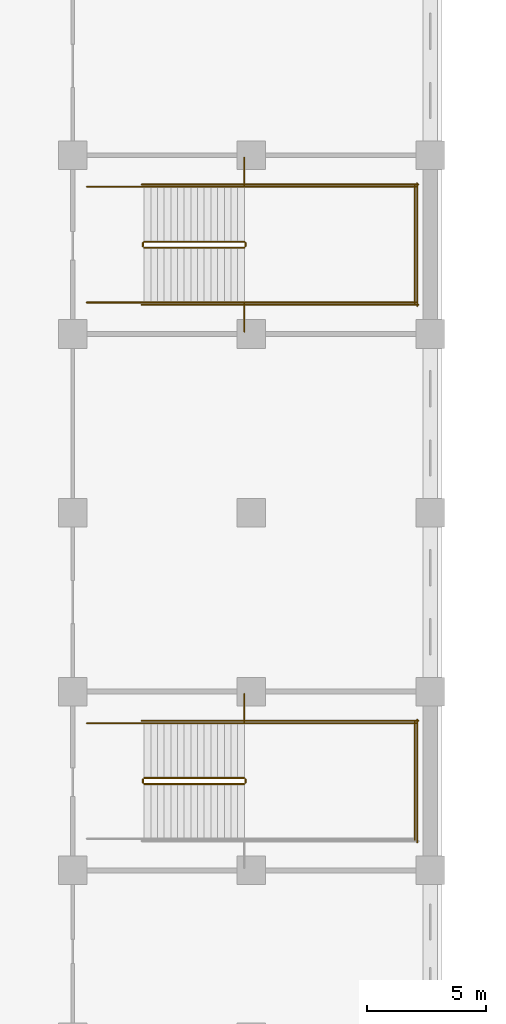
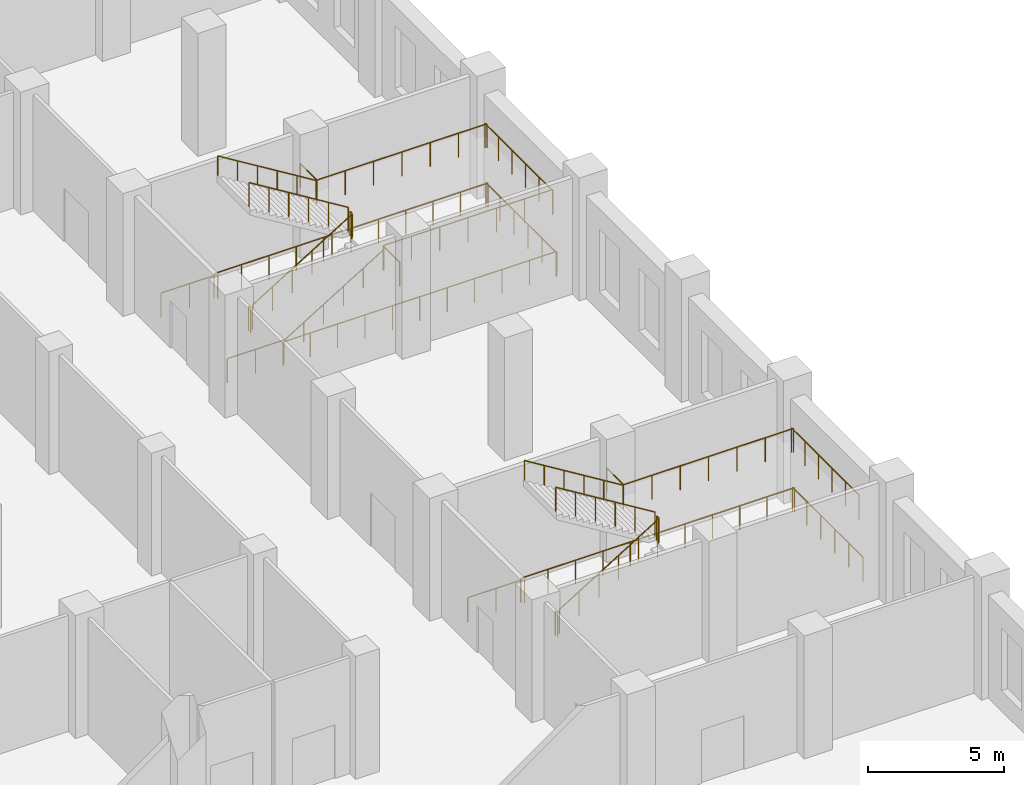
# One storey, part 27 of 35: 27 railings.
"""IFC4 building model written with IfcOpenShell, lengths in metres."""

from ifc_helpers import new_model, si_unit, direction, frame, origin, origin_2d, place, context, subcontext, project, spatial, circle, extrude, material, type_object, element, save


model = new_model("IFC4")

# Units and contexts
model_context = context("Model", 3, precision=1e-05, world=origin(), true_north=direction((0.0, 1.0)))
body_context = subcontext(model_context, "Body", "Model", "MODEL_VIEW")
ifc_project = project(units=[si_unit("LENGTHUNIT", "METRE"), si_unit("AREAUNIT", "SQUARE_METRE"), si_unit("VOLUMEUNIT", "CUBIC_METRE"), si_unit("PLANEANGLEUNIT", "RADIAN"), si_unit("MASSUNIT", "GRAM", prefix="KILO")], contexts=[model_context])

# Site, building, storey
site_placement = place(None, origin())
site = spatial("IfcSite", under=ifc_project, at=site_placement, CompositionType="ELEMENT")
building_placement = place(site_placement, origin())
building = spatial("IfcBuilding", under=site, at=building_placement, Name="Tamorin Gate", CompositionType="ELEMENT")
storey_placement = place(building_placement, frame((0.0, 0.0, 8.0)))
storey = spatial("IfcBuildingStorey", under=building, at=storey_placement, Name="L01", CompositionType="ELEMENT", Elevation=8.0)

# Railings
ifc_material = material(Name="Steel", Category="steel")
railing_type_1 = type_object("IfcRailingType", Name="Podium guard 1100", PredefinedType="GUARDRAIL", material=ifc_material)
railing_1_placement = place(storey_placement, frame((100.0, 56.125, 0.171875)))
element("IfcRailing", 1, at=railing_1_placement, inside=storey, type_object=railing_type_1, Name="L01 PS3 stair guard 1", PredefinedType="GUARDRAIL", context=body_context, shape_type="SweptSolid", body=[
    extrude(circle(Radius=0.02392578125, at=origin_2d()), frame((0.0, 0.0, 1.076171875), z_axis=(0.852242915053, 0.0, 0.523146264196), x_axis=(0.0, 1.0, 0.0)), (0.0, 0.0, 1.0), 4.92822265625),
    extrude(circle(Radius=0.02099609375, at=origin_2d()), origin(), (0.0, 0.0, 1.0), 1.052001953125),
    extrude(circle(Radius=0.02099609375, at=origin_2d()), frame((0.840087890625, 0.0, 0.515625)), (0.0, 0.0, 1.0), 1.052001953125),
    extrude(circle(Radius=0.02099609375, at=origin_2d()), frame((1.679931640625, 0.0, 1.03125)), (0.0, 0.0, 1.0), 1.052001953125),
    extrude(circle(Radius=0.02099609375, at=origin_2d()), frame((2.52001953125, 0.0, 1.546875)), (0.0, 0.0, 1.0), 1.052001953125),
    extrude(circle(Radius=0.02099609375, at=origin_2d()), frame((3.35986328125, 0.0, 2.0625)), (0.0, 0.0, 1.0), 1.052001953125),
    extrude(circle(Radius=0.02099609375, at=origin_2d()), frame((4.199951171875, 0.0, 2.578125)), (0.0, 0.0, 1.0), 1.052001953125),
])
railing_2_placement = place(storey_placement, frame((104.25, 56.175048828125, 2.75)))
element("IfcRailing", 2, at=railing_2_placement, inside=storey, type_object=railing_type_1, Name="L01 PS3 stair guard 2", PredefinedType="GUARDRAIL", context=body_context, shape_type="SweptSolid", body=[
    extrude(circle(Radius=0.02392578125, at=origin_2d()), frame((0.0, 0.0, 1.076171875), z_axis=(0.0, 1.0, 0.0), x_axis=(-1.0, 0.0, 0.0)), (0.0, 0.0, 1.0), 0.14990234375),
    extrude(circle(Radius=0.02099609375, at=origin_2d()), origin(), (0.0, 0.0, 1.0), 1.052001953125),
    extrude(circle(Radius=0.02099609375, at=origin_2d()), frame((0.0, 0.14990234375, 0.0)), (0.0, 0.0, 1.0), 1.052001953125),
])
railing_3_placement = place(storey_placement, frame((104.199951171875, 58.675048828125, 2.75)))
element("IfcRailing", 3, at=railing_3_placement, inside=storey, type_object=railing_type_1, Name="L01 PS3 stair guard 4", PredefinedType="GUARDRAIL", context=body_context, shape_type="SweptSolid", body=[
    extrude(circle(Radius=0.02392578125, at=origin_2d()), frame((0.0, 0.0, 1.076171875), z_axis=(1.0, 0.0, 0.0), x_axis=(0.0, 1.0, 0.0)), (0.0, 0.0, 1.0), 7.199951171875),
    extrude(circle(Radius=0.02099609375, at=origin_2d()), origin(), (0.0, 0.0, 1.0), 1.052001953125),
    extrude(circle(Radius=0.02099609375, at=origin_2d()), frame((1.199951171875, 0.0, 0.0)), (0.0, 0.0, 1.0), 1.052001953125),
    extrude(circle(Radius=0.02099609375, at=origin_2d()), frame((2.39990234375, 0.0, 0.0)), (0.0, 0.0, 1.0), 1.052001953125),
    extrude(circle(Radius=0.02099609375, at=origin_2d()), frame((3.60009765625, 0.0, 0.0)), (0.0, 0.0, 1.0), 1.052001953125),
    extrude(circle(Radius=0.02099609375, at=origin_2d()), frame((4.800048828125, 0.0, 0.0)), (0.0, 0.0, 1.0), 1.052001953125),
    extrude(circle(Radius=0.02099609375, at=origin_2d()), frame((6.0, 0.0, 0.0)), (0.0, 0.0, 1.0), 1.052001953125),
    extrude(circle(Radius=0.02099609375, at=origin_2d()), frame((7.199951171875, 0.0, 0.0)), (0.0, 0.0, 1.0), 1.052001953125),
])
railing_4_placement = place(storey_placement, frame((111.35009765625, 53.77490234375, 2.75)))
element("IfcRailing", 4, at=railing_4_placement, inside=storey, type_object=railing_type_1, Name="L01 PS3 stair guard 5", PredefinedType="GUARDRAIL", context=body_context, shape_type="SweptSolid", body=[
    extrude(circle(Radius=0.02392578125, at=origin_2d()), frame((0.0, 0.0, 1.076171875), z_axis=(0.0, 1.0, 0.0), x_axis=(-1.0, 0.0, 0.0)), (0.0, 0.0, 1.0), 4.9501953125),
    extrude(circle(Radius=0.02099609375, at=origin_2d()), origin(), (0.0, 0.0, 1.0), 1.052001953125),
    extrude(circle(Radius=0.02099609375, at=origin_2d()), frame((0.0, 0.989990234375, 0.0)), (0.0, 0.0, 1.0), 1.052001953125),
    extrude(circle(Radius=0.02099609375, at=origin_2d()), frame((0.0, 1.97998046875, 0.0)), (0.0, 0.0, 1.0), 1.052001953125),
    extrude(circle(Radius=0.02099609375, at=origin_2d()), frame((0.0, 2.97021484375, 0.0)), (0.0, 0.0, 1.0), 1.052001953125),
    extrude(circle(Radius=0.02099609375, at=origin_2d()), frame((0.0, 3.960205078125, 0.0)), (0.0, 0.0, 1.0), 1.052001953125),
    extrude(circle(Radius=0.02099609375, at=origin_2d()), frame((0.0, 4.9501953125, 0.0)), (0.0, 0.0, 1.0), 1.052001953125),
])
railing_5_placement = place(storey_placement, frame((104.199951171875, 56.375, 2.921875)))
element("IfcRailing", 5, at=railing_5_placement, inside=storey, type_object=railing_type_1, Name="L01 PS3 stair guard 6", PredefinedType="GUARDRAIL", context=body_context, shape_type="SweptSolid", body=[
    extrude(circle(Radius=0.02392578125, at=origin_2d()), frame((0.0, 0.0, 1.076171875), z_axis=(-0.852242915053, 0.0, 0.523146264196), x_axis=(0.0, -1.0, 0.0)), (0.0, 0.0, 1.0), 4.92822265625),
    extrude(circle(Radius=0.02099609375, at=origin_2d()), origin(), (0.0, 0.0, 1.0), 1.052001953125),
    extrude(circle(Radius=0.02099609375, at=origin_2d()), frame((-0.840087890625, 0.0, 0.515625)), (0.0, 0.0, 1.0), 1.052001953125),
    extrude(circle(Radius=0.02099609375, at=origin_2d()), frame((-1.679931640625, 0.0, 1.03125)), (0.0, 0.0, 1.0), 1.052001953125),
    extrude(circle(Radius=0.02099609375, at=origin_2d()), frame((-2.52001953125, 0.0, 1.546875)), (0.0, 0.0, 1.0), 1.052001953125),
    extrude(circle(Radius=0.02099609375, at=origin_2d()), frame((-3.35986328125, 0.0, 2.0625)), (0.0, 0.0, 1.0), 1.052001953125),
    extrude(circle(Radius=0.02099609375, at=origin_2d()), frame((-4.199951171875, 0.0, 2.578125)), (0.0, 0.0, 1.0), 1.052001953125),
])
railing_6_placement = place(storey_placement, frame((99.949951171875, 56.175048828125, 0.0)))
element("IfcRailing", 6, at=railing_6_placement, inside=storey, type_object=railing_type_1, Name="L01 PS3 stair guard 7", PredefinedType="GUARDRAIL", context=body_context, shape_type="SweptSolid", body=[
    extrude(circle(Radius=0.02392578125, at=origin_2d()), frame((0.0, 0.0, 1.076171875), z_axis=(0.0, 1.0, 0.0), x_axis=(-1.0, 0.0, 0.0)), (0.0, 0.0, 1.0), 0.14990234375),
    extrude(circle(Radius=0.02099609375, at=origin_2d()), origin(), (0.0, 0.0, 1.0), 1.052001953125),
    extrude(circle(Radius=0.02099609375, at=origin_2d()), frame((0.0, 0.14990234375, 0.0)), (0.0, 0.0, 1.0), 1.052001953125),
])
railing_7_placement = place(storey_placement, frame((97.60009765625, 58.675048828125, 0.0)))
element("IfcRailing", 7, at=railing_7_placement, inside=storey, type_object=railing_type_1, Name="L01 PS3 stair guard 9", PredefinedType="GUARDRAIL", context=body_context, shape_type="SweptSolid", body=[
    extrude(circle(Radius=0.02392578125, at=origin_2d()), frame((0.0, 0.0, 1.076171875), z_axis=(1.0, 0.0, 0.0), x_axis=(0.0, 1.0, 0.0)), (0.0, 0.0, 1.0), 2.39990234375),
    extrude(circle(Radius=0.02099609375, at=origin_2d()), origin(), (0.0, 0.0, 1.0), 1.052001953125),
    extrude(circle(Radius=0.02099609375, at=origin_2d()), frame((1.199951171875, 0.0, 0.0)), (0.0, 0.0, 1.0), 1.052001953125),
    extrude(circle(Radius=0.02099609375, at=origin_2d()), frame((2.39990234375, 0.0, 0.0)), (0.0, 0.0, 1.0), 1.052001953125),
])
railing_8_placement = place(storey_placement, frame((99.89990234375, 58.77490234375, 0.0)))
element("IfcRailing", 8, at=railing_8_placement, inside=storey, type_object=railing_type_1, Name="L01 PS3 stair guard 11", PredefinedType="GUARDRAIL", context=body_context, shape_type="SweptSolid", body=[
    extrude(circle(Radius=0.02392578125, at=origin_2d()), frame((0.0, 0.0, 1.076171875), z_axis=(1.0, 0.0, 0.0), x_axis=(0.0, 1.0, 0.0)), (0.0, 0.0, 1.0), 11.60009765625),
    extrude(circle(Radius=0.02099609375, at=origin_2d()), origin(), (0.0, 0.0, 1.0), 1.052001953125),
    extrude(circle(Radius=0.02099609375, at=origin_2d()), frame((1.159912109375, 0.0, 0.0)), (0.0, 0.0, 1.0), 1.052001953125),
    extrude(circle(Radius=0.02099609375, at=origin_2d()), frame((2.320068359375, 0.0, 0.0)), (0.0, 0.0, 1.0), 1.052001953125),
    extrude(circle(Radius=0.02099609375, at=origin_2d()), frame((3.47998046875, 0.0, 0.0)), (0.0, 0.0, 1.0), 1.052001953125),
    extrude(circle(Radius=0.02099609375, at=origin_2d()), frame((4.64013671875, 0.0, 0.0)), (0.0, 0.0, 1.0), 1.052001953125),
    extrude(circle(Radius=0.02099609375, at=origin_2d()), frame((5.800048828125, 0.0, 0.0)), (0.0, 0.0, 1.0), 1.052001953125),
    extrude(circle(Radius=0.02099609375, at=origin_2d()), frame((6.9599609375, 0.0, 0.0)), (0.0, 0.0, 1.0), 1.052001953125),
    extrude(circle(Radius=0.02099609375, at=origin_2d()), frame((8.1201171875, 0.0, 0.0)), (0.0, 0.0, 1.0), 1.052001953125),
    extrude(circle(Radius=0.02099609375, at=origin_2d()), frame((9.280029296875, 0.0, 0.0)), (0.0, 0.0, 1.0), 1.052001953125),
    extrude(circle(Radius=0.02099609375, at=origin_2d()), frame((10.440185546875, 0.0, 0.0)), (0.0, 0.0, 1.0), 1.052001953125),
    extrude(circle(Radius=0.02099609375, at=origin_2d()), frame((11.60009765625, 0.0, 0.0)), (0.0, 0.0, 1.0), 1.052001953125),
])
railing_9_placement = place(storey_placement, frame((111.449951171875, 53.675048828125, 0.0)))
element("IfcRailing", 9, at=railing_9_placement, inside=storey, type_object=railing_type_1, Name="L01 PS3 stair guard 12", PredefinedType="GUARDRAIL", context=body_context, shape_type="SweptSolid", body=[
    extrude(circle(Radius=0.02392578125, at=origin_2d()), frame((0.0, 0.0, 1.076171875), z_axis=(0.0, 1.0, 0.0), x_axis=(-1.0, 0.0, 0.0)), (0.0, 0.0, 1.0), 5.14990234375),
    extrude(circle(Radius=0.02099609375, at=origin_2d()), origin(), (0.0, 0.0, 1.0), 1.052001953125),
    extrude(circle(Radius=0.02099609375, at=origin_2d()), frame((0.0, 1.030029296875, 0.0)), (0.0, 0.0, 1.0), 1.052001953125),
    extrude(circle(Radius=0.02099609375, at=origin_2d()), frame((0.0, 2.06005859375, 0.0)), (0.0, 0.0, 1.0), 1.052001953125),
    extrude(circle(Radius=0.02099609375, at=origin_2d()), frame((0.0, 3.08984375, 0.0)), (0.0, 0.0, 1.0), 1.052001953125),
    extrude(circle(Radius=0.02099609375, at=origin_2d()), frame((0.0, 4.119873046875, 0.0)), (0.0, 0.0, 1.0), 1.052001953125),
    extrude(circle(Radius=0.02099609375, at=origin_2d()), frame((0.0, 5.14990234375, 0.0)), (0.0, 0.0, 1.0), 1.052001953125),
])
railing_10_placement = place(storey_placement, frame((104.199951171875, 58.72509765625, 2.75)))
element("IfcRailing", 10, at=railing_10_placement, inside=storey, type_object=railing_type_1, Name="Landing edge guard", PredefinedType="GUARDRAIL", context=body_context, shape_type="SweptSolid", body=[
    extrude(circle(Radius=0.02392578125, at=origin_2d()), frame((0.0, 0.0, 1.076171875), z_axis=(0.0, 1.0, 0.0), x_axis=(-1.0, 0.0, 0.0)), (0.0, 0.0, 1.0), 1.1748046875),
    extrude(circle(Radius=0.02099609375, at=origin_2d()), origin(), (0.0, 0.0, 1.0), 1.052001953125),
    extrude(circle(Radius=0.02099609375, at=origin_2d()), frame((0.0, 1.1748046875, 0.0)), (0.0, 0.0, 1.0), 1.052001953125),
])
railing_11_placement = place(storey_placement, frame((100.0, 78.625, 0.171875)))
element("IfcRailing", 11, at=railing_11_placement, inside=storey, type_object=railing_type_1, Name="L01 PS5 stair guard 1", PredefinedType="GUARDRAIL", context=body_context, shape_type="SweptSolid", body=[
    extrude(circle(Radius=0.02392578125, at=origin_2d()), frame((0.0, 0.0, 1.076171875), z_axis=(0.852242915053, 0.0, 0.523146264196), x_axis=(0.0, 1.0, 0.0)), (0.0, 0.0, 1.0), 4.92822265625),
    extrude(circle(Radius=0.02099609375, at=origin_2d()), origin(), (0.0, 0.0, 1.0), 1.052001953125),
    extrude(circle(Radius=0.02099609375, at=origin_2d()), frame((0.840087890625, 0.0, 0.515625)), (0.0, 0.0, 1.0), 1.052001953125),
    extrude(circle(Radius=0.02099609375, at=origin_2d()), frame((1.679931640625, 0.0, 1.03125)), (0.0, 0.0, 1.0), 1.052001953125),
    extrude(circle(Radius=0.02099609375, at=origin_2d()), frame((2.52001953125, 0.0, 1.546875)), (0.0, 0.0, 1.0), 1.052001953125),
    extrude(circle(Radius=0.02099609375, at=origin_2d()), frame((3.35986328125, 0.0, 2.0625)), (0.0, 0.0, 1.0), 1.052001953125),
    extrude(circle(Radius=0.02099609375, at=origin_2d()), frame((4.199951171875, 0.0, 2.578125)), (0.0, 0.0, 1.0), 1.052001953125),
])
railing_12_placement = place(storey_placement, frame((104.25, 78.675048828125, 2.75)))
element("IfcRailing", 12, at=railing_12_placement, inside=storey, type_object=railing_type_1, Name="L01 PS5 stair guard 2", PredefinedType="GUARDRAIL", context=body_context, shape_type="SweptSolid", body=[
    extrude(circle(Radius=0.02392578125, at=origin_2d()), frame((0.0, 0.0, 1.076171875), z_axis=(0.0, 1.0, 0.0), x_axis=(-1.0, 0.0, 0.0)), (0.0, 0.0, 1.0), 0.14990234375),
    extrude(circle(Radius=0.02099609375, at=origin_2d()), origin(), (0.0, 0.0, 1.0), 1.052001953125),
    extrude(circle(Radius=0.02099609375, at=origin_2d()), frame((0.0, 0.14990234375, 0.0)), (0.0, 0.0, 1.0), 1.052001953125),
])
for number, where, name in (
    (13, (104.199951171875, 76.324951171875, 2.75), "L01 PS5 stair guard 3"),
    (14, (104.199951171875, 81.175048828125, 2.75), "L01 PS5 stair guard 4"),
):
    element("IfcRailing", number, at=place(storey_placement, frame(where)), inside=storey, type_object=railing_type_1, Name=name, PredefinedType="GUARDRAIL", context=body_context, shape_type="SweptSolid", body=[
        extrude(circle(Radius=0.02392578125, at=origin_2d()), frame((0.0, 0.0, 1.076171875), z_axis=(1.0, 0.0, 0.0), x_axis=(0.0, 1.0, 0.0)), (0.0, 0.0, 1.0), 7.199951171875),
        extrude(circle(Radius=0.02099609375, at=origin_2d()), origin(), (0.0, 0.0, 1.0), 1.052001953125),
        extrude(circle(Radius=0.02099609375, at=origin_2d()), frame((1.199951171875, 0.0, 0.0)), (0.0, 0.0, 1.0), 1.052001953125),
        extrude(circle(Radius=0.02099609375, at=origin_2d()), frame((2.39990234375, 0.0, 0.0)), (0.0, 0.0, 1.0), 1.052001953125),
        extrude(circle(Radius=0.02099609375, at=origin_2d()), frame((3.60009765625, 0.0, 0.0)), (0.0, 0.0, 1.0), 1.052001953125),
        extrude(circle(Radius=0.02099609375, at=origin_2d()), frame((4.800048828125, 0.0, 0.0)), (0.0, 0.0, 1.0), 1.052001953125),
        extrude(circle(Radius=0.02099609375, at=origin_2d()), frame((6.0, 0.0, 0.0)), (0.0, 0.0, 1.0), 1.052001953125),
        extrude(circle(Radius=0.02099609375, at=origin_2d()), frame((7.199951171875, 0.0, 0.0)), (0.0, 0.0, 1.0), 1.052001953125),
    ])
railing_13_placement = place(storey_placement, frame((111.35009765625, 76.27490234375, 2.75)))
element("IfcRailing", 15, at=railing_13_placement, inside=storey, type_object=railing_type_1, Name="L01 PS5 stair guard 5", PredefinedType="GUARDRAIL", context=body_context, shape_type="SweptSolid", body=[
    extrude(circle(Radius=0.02392578125, at=origin_2d()), frame((0.0, 0.0, 1.076171875), z_axis=(0.0, 1.0, 0.0), x_axis=(-1.0, 0.0, 0.0)), (0.0, 0.0, 1.0), 4.9501953125),
    extrude(circle(Radius=0.02099609375, at=origin_2d()), origin(), (0.0, 0.0, 1.0), 1.052001953125),
    extrude(circle(Radius=0.02099609375, at=origin_2d()), frame((0.0, 0.989990234375, 0.0)), (0.0, 0.0, 1.0), 1.052001953125),
    extrude(circle(Radius=0.02099609375, at=origin_2d()), frame((0.0, 1.97998046875, 0.0)), (0.0, 0.0, 1.0), 1.052001953125),
    extrude(circle(Radius=0.02099609375, at=origin_2d()), frame((0.0, 2.97021484375, 0.0)), (0.0, 0.0, 1.0), 1.052001953125),
    extrude(circle(Radius=0.02099609375, at=origin_2d()), frame((0.0, 3.960205078125, 0.0)), (0.0, 0.0, 1.0), 1.052001953125),
    extrude(circle(Radius=0.02099609375, at=origin_2d()), frame((0.0, 4.9501953125, 0.0)), (0.0, 0.0, 1.0), 1.052001953125),
])
railing_14_placement = place(storey_placement, frame((104.199951171875, 78.875, 2.921875)))
element("IfcRailing", 16, at=railing_14_placement, inside=storey, type_object=railing_type_1, Name="L01 PS5 stair guard 6", PredefinedType="GUARDRAIL", context=body_context, shape_type="SweptSolid", body=[
    extrude(circle(Radius=0.02392578125, at=origin_2d()), frame((0.0, 0.0, 1.076171875), z_axis=(-0.852242915053, 0.0, 0.523146264196), x_axis=(0.0, -1.0, 0.0)), (0.0, 0.0, 1.0), 4.92822265625),
    extrude(circle(Radius=0.02099609375, at=origin_2d()), origin(), (0.0, 0.0, 1.0), 1.052001953125),
    extrude(circle(Radius=0.02099609375, at=origin_2d()), frame((-0.840087890625, 0.0, 0.515625)), (0.0, 0.0, 1.0), 1.052001953125),
    extrude(circle(Radius=0.02099609375, at=origin_2d()), frame((-1.679931640625, 0.0, 1.03125)), (0.0, 0.0, 1.0), 1.052001953125),
    extrude(circle(Radius=0.02099609375, at=origin_2d()), frame((-2.52001953125, 0.0, 1.546875)), (0.0, 0.0, 1.0), 1.052001953125),
    extrude(circle(Radius=0.02099609375, at=origin_2d()), frame((-3.35986328125, 0.0, 2.0625)), (0.0, 0.0, 1.0), 1.052001953125),
    extrude(circle(Radius=0.02099609375, at=origin_2d()), frame((-4.199951171875, 0.0, 2.578125)), (0.0, 0.0, 1.0), 1.052001953125),
])
railing_15_placement = place(storey_placement, frame((99.949951171875, 78.675048828125, 0.0)))
element("IfcRailing", 17, at=railing_15_placement, inside=storey, type_object=railing_type_1, Name="L01 PS5 stair guard 7", PredefinedType="GUARDRAIL", context=body_context, shape_type="SweptSolid", body=[
    extrude(circle(Radius=0.02392578125, at=origin_2d()), frame((0.0, 0.0, 1.076171875), z_axis=(0.0, 1.0, 0.0), x_axis=(-1.0, 0.0, 0.0)), (0.0, 0.0, 1.0), 0.14990234375),
    extrude(circle(Radius=0.02099609375, at=origin_2d()), origin(), (0.0, 0.0, 1.0), 1.052001953125),
    extrude(circle(Radius=0.02099609375, at=origin_2d()), frame((0.0, 0.14990234375, 0.0)), (0.0, 0.0, 1.0), 1.052001953125),
])
for number, where, name in (
    (18, (97.60009765625, 76.324951171875, 0.0), "L01 PS5 stair guard 8"),
    (19, (97.60009765625, 81.175048828125, 0.0), "L01 PS5 stair guard 9"),
):
    element("IfcRailing", number, at=place(storey_placement, frame(where)), inside=storey, type_object=railing_type_1, Name=name, PredefinedType="GUARDRAIL", context=body_context, shape_type="SweptSolid", body=[
        extrude(circle(Radius=0.02392578125, at=origin_2d()), frame((0.0, 0.0, 1.076171875), z_axis=(1.0, 0.0, 0.0), x_axis=(0.0, 1.0, 0.0)), (0.0, 0.0, 1.0), 2.39990234375),
        extrude(circle(Radius=0.02099609375, at=origin_2d()), origin(), (0.0, 0.0, 1.0), 1.052001953125),
        extrude(circle(Radius=0.02099609375, at=origin_2d()), frame((1.199951171875, 0.0, 0.0)), (0.0, 0.0, 1.0), 1.052001953125),
        extrude(circle(Radius=0.02099609375, at=origin_2d()), frame((2.39990234375, 0.0, 0.0)), (0.0, 0.0, 1.0), 1.052001953125),
    ])
for number, where, name in (
    (20, (99.89990234375, 76.22509765625, 0.0), "L01 PS5 stair guard 10"),
    (21, (99.89990234375, 81.27490234375, 0.0), "L01 PS5 stair guard 11"),
):
    element("IfcRailing", number, at=place(storey_placement, frame(where)), inside=storey, type_object=railing_type_1, Name=name, PredefinedType="GUARDRAIL", context=body_context, shape_type="SweptSolid", body=[
        extrude(circle(Radius=0.02392578125, at=origin_2d()), frame((0.0, 0.0, 1.076171875), z_axis=(1.0, 0.0, 0.0), x_axis=(0.0, 1.0, 0.0)), (0.0, 0.0, 1.0), 11.60009765625),
        extrude(circle(Radius=0.02099609375, at=origin_2d()), origin(), (0.0, 0.0, 1.0), 1.052001953125),
        extrude(circle(Radius=0.02099609375, at=origin_2d()), frame((1.159912109375, 0.0, 0.0)), (0.0, 0.0, 1.0), 1.052001953125),
        extrude(circle(Radius=0.02099609375, at=origin_2d()), frame((2.320068359375, 0.0, 0.0)), (0.0, 0.0, 1.0), 1.052001953125),
        extrude(circle(Radius=0.02099609375, at=origin_2d()), frame((3.47998046875, 0.0, 0.0)), (0.0, 0.0, 1.0), 1.052001953125),
        extrude(circle(Radius=0.02099609375, at=origin_2d()), frame((4.64013671875, 0.0, 0.0)), (0.0, 0.0, 1.0), 1.052001953125),
        extrude(circle(Radius=0.02099609375, at=origin_2d()), frame((5.800048828125, 0.0, 0.0)), (0.0, 0.0, 1.0), 1.052001953125),
        extrude(circle(Radius=0.02099609375, at=origin_2d()), frame((6.9599609375, 0.0, 0.0)), (0.0, 0.0, 1.0), 1.052001953125),
        extrude(circle(Radius=0.02099609375, at=origin_2d()), frame((8.1201171875, 0.0, 0.0)), (0.0, 0.0, 1.0), 1.052001953125),
        extrude(circle(Radius=0.02099609375, at=origin_2d()), frame((9.280029296875, 0.0, 0.0)), (0.0, 0.0, 1.0), 1.052001953125),
        extrude(circle(Radius=0.02099609375, at=origin_2d()), frame((10.440185546875, 0.0, 0.0)), (0.0, 0.0, 1.0), 1.052001953125),
        extrude(circle(Radius=0.02099609375, at=origin_2d()), frame((11.60009765625, 0.0, 0.0)), (0.0, 0.0, 1.0), 1.052001953125),
    ])
railing_16_placement = place(storey_placement, frame((111.449951171875, 76.175048828125, 0.0)))
element("IfcRailing", 22, at=railing_16_placement, inside=storey, type_object=railing_type_1, Name="L01 PS5 stair guard 12", PredefinedType="GUARDRAIL", context=body_context, shape_type="SweptSolid", body=[
    extrude(circle(Radius=0.02392578125, at=origin_2d()), frame((0.0, 0.0, 1.076171875), z_axis=(0.0, 1.0, 0.0), x_axis=(-1.0, 0.0, 0.0)), (0.0, 0.0, 1.0), 5.14990234375),
    extrude(circle(Radius=0.02099609375, at=origin_2d()), origin(), (0.0, 0.0, 1.0), 1.052001953125),
    extrude(circle(Radius=0.02099609375, at=origin_2d()), frame((0.0, 1.030029296875, 0.0)), (0.0, 0.0, 1.0), 1.052001953125),
    extrude(circle(Radius=0.02099609375, at=origin_2d()), frame((0.0, 2.06005859375, 0.0)), (0.0, 0.0, 1.0), 1.052001953125),
    extrude(circle(Radius=0.02099609375, at=origin_2d()), frame((0.0, 3.08984375, 0.0)), (0.0, 0.0, 1.0), 1.052001953125),
    extrude(circle(Radius=0.02099609375, at=origin_2d()), frame((0.0, 4.119873046875, 0.0)), (0.0, 0.0, 1.0), 1.052001953125),
    extrude(circle(Radius=0.02099609375, at=origin_2d()), frame((0.0, 5.14990234375, 0.0)), (0.0, 0.0, 1.0), 1.052001953125),
])
for number, where, name in (
    (23, (104.199951171875, 75.10009765625, 2.75), "Landing edge guard"),
    (24, (104.199951171875, 81.22509765625, 2.75), "Landing edge guard"),
):
    element("IfcRailing", number, at=place(storey_placement, frame(where)), inside=storey, type_object=railing_type_1, Name=name, PredefinedType="GUARDRAIL", context=body_context, shape_type="SweptSolid", body=[
        extrude(circle(Radius=0.02392578125, at=origin_2d()), frame((0.0, 0.0, 1.076171875), z_axis=(0.0, 1.0, 0.0), x_axis=(-1.0, 0.0, 0.0)), (0.0, 0.0, 1.0), 1.1748046875),
        extrude(circle(Radius=0.02099609375, at=origin_2d()), origin(), (0.0, 0.0, 1.0), 1.052001953125),
        extrude(circle(Radius=0.02099609375, at=origin_2d()), frame((0.0, 1.1748046875, 0.0)), (0.0, 0.0, 1.0), 1.052001953125),
    ])
railing_type_2 = type_object("IfcRailingType", Name="Podium stair handrail 900", PredefinedType="HANDRAIL", material=ifc_material)
railing_17_placement = place(storey_placement, frame((104.199951171875, 58.675048828125, 2.921875)))
element("IfcRailing", 25, at=railing_17_placement, inside=storey, type_object=railing_type_2, Name="L01 PS3 stair handrail 2", PredefinedType="HANDRAIL", context=body_context, shape_type="SweptSolid", body=[
    extrude(circle(Radius=0.02392578125, at=origin_2d()), frame((0.0, 0.0, 0.8759765625), z_axis=(-0.852242915053, 0.0, 0.523146264196), x_axis=(0.0, -1.0, 0.0)), (0.0, 0.0, 1.0), 4.92822265625),
    extrude(circle(Radius=0.02099609375, at=origin_2d()), origin(), (0.0, 0.0, 1.0), 0.851806640625),
    extrude(circle(Radius=0.02099609375, at=origin_2d()), frame((-0.840087890625, 0.0, 0.515625)), (0.0, 0.0, 1.0), 0.851806640625),
    extrude(circle(Radius=0.02099609375, at=origin_2d()), frame((-1.679931640625, 0.0, 1.03125)), (0.0, 0.0, 1.0), 0.851806640625),
    extrude(circle(Radius=0.02099609375, at=origin_2d()), frame((-2.52001953125, 0.0, 1.546875)), (0.0, 0.0, 1.0), 0.851806640625),
    extrude(circle(Radius=0.02099609375, at=origin_2d()), frame((-3.35986328125, 0.0, 2.0625)), (0.0, 0.0, 1.0), 0.851806640625),
    extrude(circle(Radius=0.02099609375, at=origin_2d()), frame((-4.199951171875, 0.0, 2.578125)), (0.0, 0.0, 1.0), 0.851806640625),
])
railing_18_placement = place(storey_placement, frame((100.0, 76.324951171875, 0.171875)))
element("IfcRailing", 26, at=railing_18_placement, inside=storey, type_object=railing_type_2, Name="L01 PS5 stair handrail 1", PredefinedType="HANDRAIL", context=body_context, shape_type="SweptSolid", body=[
    extrude(circle(Radius=0.02392578125, at=origin_2d()), frame((0.0, 0.0, 0.8759765625), z_axis=(0.852242915053, 0.0, 0.523146264196), x_axis=(0.0, 1.0, 0.0)), (0.0, 0.0, 1.0), 4.92822265625),
    extrude(circle(Radius=0.02099609375, at=origin_2d()), origin(), (0.0, 0.0, 1.0), 0.851806640625),
    extrude(circle(Radius=0.02099609375, at=origin_2d()), frame((0.840087890625, 0.0, 0.515625)), (0.0, 0.0, 1.0), 0.851806640625),
    extrude(circle(Radius=0.02099609375, at=origin_2d()), frame((1.679931640625, 0.0, 1.03125)), (0.0, 0.0, 1.0), 0.851806640625),
    extrude(circle(Radius=0.02099609375, at=origin_2d()), frame((2.52001953125, 0.0, 1.546875)), (0.0, 0.0, 1.0), 0.851806640625),
    extrude(circle(Radius=0.02099609375, at=origin_2d()), frame((3.35986328125, 0.0, 2.0625)), (0.0, 0.0, 1.0), 0.851806640625),
    extrude(circle(Radius=0.02099609375, at=origin_2d()), frame((4.199951171875, 0.0, 2.578125)), (0.0, 0.0, 1.0), 0.851806640625),
])
railing_19_placement = place(storey_placement, frame((104.199951171875, 81.175048828125, 2.921875)))
element("IfcRailing", 27, at=railing_19_placement, inside=storey, type_object=railing_type_2, Name="L01 PS5 stair handrail 2", PredefinedType="HANDRAIL", context=body_context, shape_type="SweptSolid", body=[
    extrude(circle(Radius=0.02392578125, at=origin_2d()), frame((0.0, 0.0, 0.8759765625), z_axis=(-0.852242915053, 0.0, 0.523146264196), x_axis=(0.0, -1.0, 0.0)), (0.0, 0.0, 1.0), 4.92822265625),
    extrude(circle(Radius=0.02099609375, at=origin_2d()), origin(), (0.0, 0.0, 1.0), 0.851806640625),
    extrude(circle(Radius=0.02099609375, at=origin_2d()), frame((-0.840087890625, 0.0, 0.515625)), (0.0, 0.0, 1.0), 0.851806640625),
    extrude(circle(Radius=0.02099609375, at=origin_2d()), frame((-1.679931640625, 0.0, 1.03125)), (0.0, 0.0, 1.0), 0.851806640625),
    extrude(circle(Radius=0.02099609375, at=origin_2d()), frame((-2.52001953125, 0.0, 1.546875)), (0.0, 0.0, 1.0), 0.851806640625),
    extrude(circle(Radius=0.02099609375, at=origin_2d()), frame((-3.35986328125, 0.0, 2.0625)), (0.0, 0.0, 1.0), 0.851806640625),
    extrude(circle(Radius=0.02099609375, at=origin_2d()), frame((-4.199951171875, 0.0, 2.578125)), (0.0, 0.0, 1.0), 0.851806640625),
])

save(model, "model.ifc")
